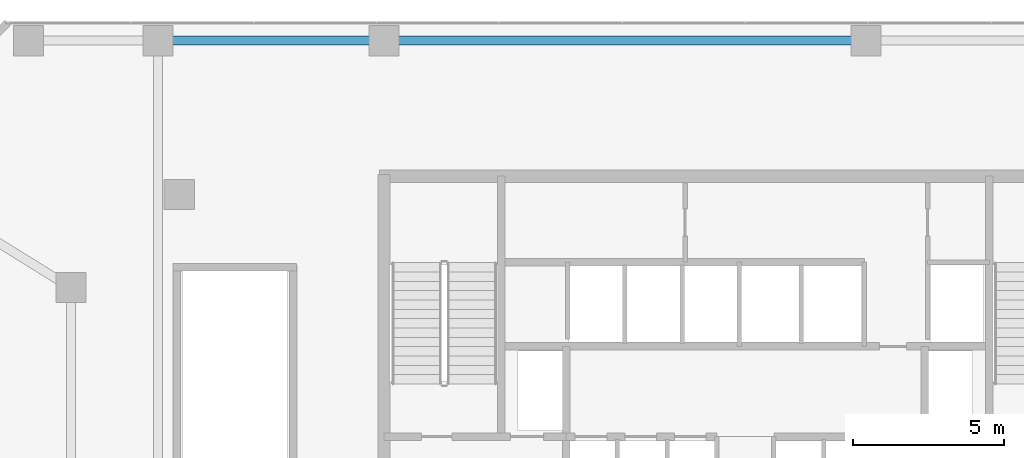
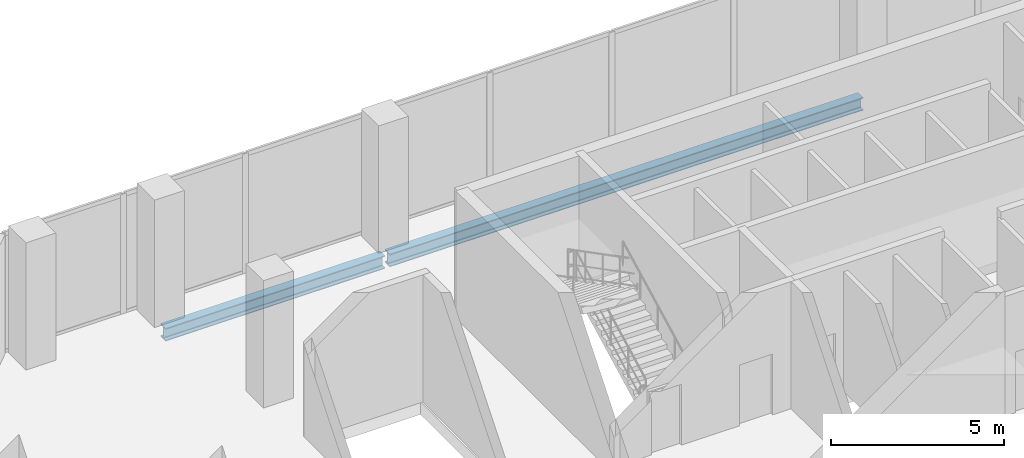
# One storey, part 14 of 24: 2 beams.
"""IFC4 building model written with IfcOpenShell, lengths in metres."""

from ifc_helpers import new_model, si_unit, direction, frame, origin, origin_2d, place, context, subcontext, project, spatial, i_section, extrude, material, material_profile, profile_set, type_object, element, save


model = new_model("IFC4")

# Units and contexts
model_context = context("Model", 3, precision=1e-05, world=origin(), true_north=direction((0.0, 1.0)))
body_context = subcontext(model_context, "Body", "Model", "MODEL_VIEW")
ifc_project = project(units=[si_unit("LENGTHUNIT", "METRE"), si_unit("AREAUNIT", "SQUARE_METRE"), si_unit("VOLUMEUNIT", "CUBIC_METRE"), si_unit("PLANEANGLEUNIT", "RADIAN"), si_unit("MASSUNIT", "GRAM", prefix="KILO")], contexts=[model_context])

# Site, building, storey
site_placement = place(None, origin())
site = spatial("IfcSite", under=ifc_project, at=site_placement, CompositionType="ELEMENT")
building_placement = place(site_placement, origin())
building = spatial("IfcBuilding", under=site, at=building_placement, Name="Catumbela Crestline Tower", CompositionType="ELEMENT")
storey_placement = place(building_placement, frame((0.0, 0.0, 21.3)))
storey = spatial("IfcBuildingStorey", under=building, at=storey_placement, Name="L04", CompositionType="ELEMENT", Elevation=21.3)

# Beams
ifc_material = material(Name="Structural steel S355J2", Category="steel")
ifc_material_profile = material_profile(ifc_material, i_section(OverallWidth=0.3, OverallDepth=0.45, WebThickness=0.014, FlangeThickness=0.026, FilletRadius=0.027, at=origin_2d()), Name="HEB 450")
ifc_profile_set = profile_set([ifc_material_profile], Name="Structural steel S355J2")
beam_type = type_object("IfcBeamType", Name="BS-HEB450", PredefinedType="SPANDREL", material=ifc_profile_set)
beam_1_placement = place(storey_placement, frame((8.58, 47.4, -0.675), z_axis=(1.0, 0.0, 0.0), x_axis=(0.0, 1.0, 0.0)))
element("IfcBeam", 1, at=beam_1_placement, inside=storey, type_object=beam_type, Name="L04 Spandrel SP-L04-NF19", PredefinedType="SPANDREL", context=body_context, shape_type="SweptSolid", body=[
    extrude(i_section(OverallWidth=0.3, OverallDepth=0.45, WebThickness=0.014, FlangeThickness=0.026, FilletRadius=0.027, at=origin_2d()), origin(), (0.0, 0.0, 1.0), 7.34),
])
beam_2_placement = place(storey_placement, frame((16.08, 47.4, -0.675), z_axis=(1.0, 0.0, 0.0), x_axis=(0.0, 1.0, 0.0)))
element("IfcBeam", 2, at=beam_2_placement, inside=storey, type_object=beam_type, Name="L04 Spandrel SP-L04-NF20", PredefinedType="SPANDREL", context=body_context, shape_type="SweptSolid", body=[
    extrude(i_section(OverallWidth=0.3, OverallDepth=0.45, WebThickness=0.014, FlangeThickness=0.026, FilletRadius=0.027, at=origin_2d()), origin(), (0.0, 0.0, 1.0), 15.84),
])

save(model, "model.ifc")
